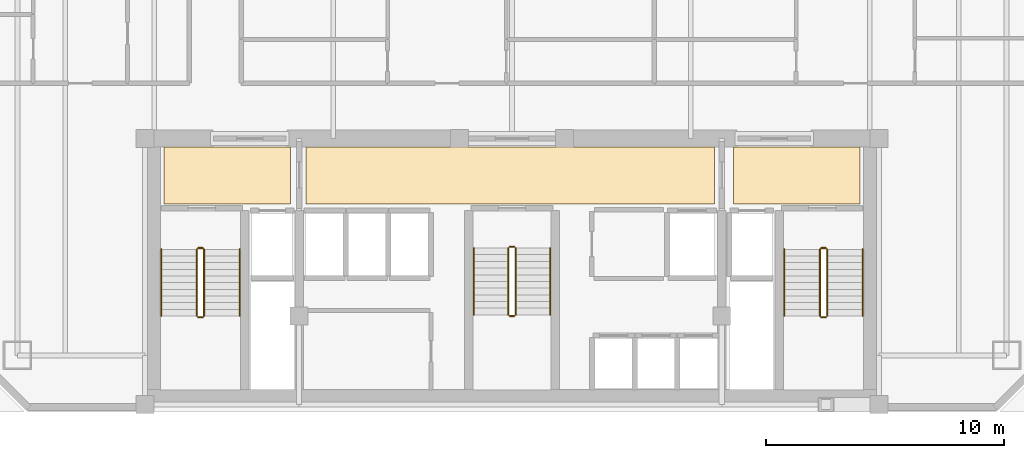
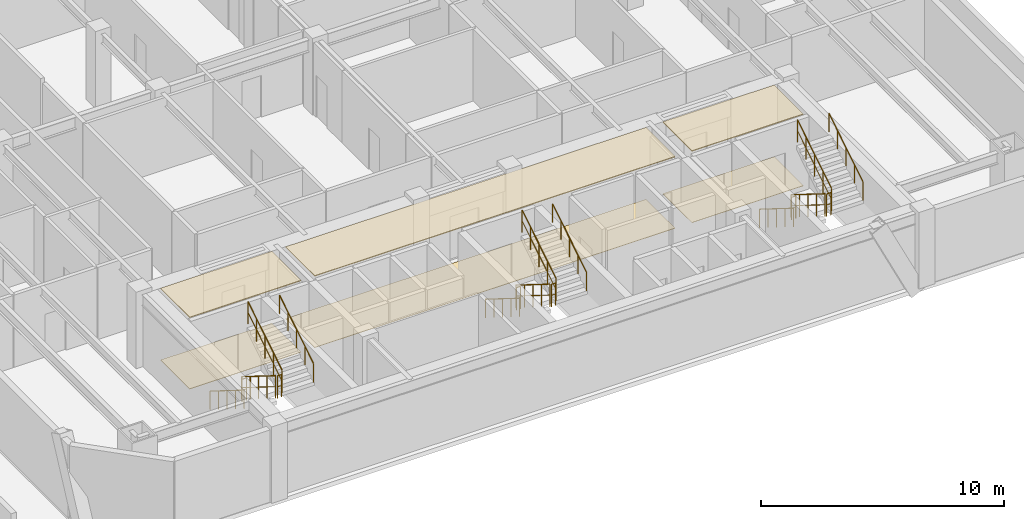
# One storey, part 8 of 8: 18 railings, 6 coverings.
"""IFC4 building model written with IfcOpenShell, lengths in metres."""

from ifc_helpers import new_model, si_unit, direction, frame, origin, origin_2d, place, context, subcontext, project, spatial, polyline, circle, outline, extrude, material, layer, layer_set, type_object, element, save


model = new_model("IFC4")

# Units and contexts
model_context = context("Model", 3, precision=1e-05, world=origin(), true_north=direction((0.0, 1.0)))
body_context = subcontext(model_context, "Body", "Model", "MODEL_VIEW")
ifc_project = project(units=[si_unit("LENGTHUNIT", "METRE"), si_unit("AREAUNIT", "SQUARE_METRE"), si_unit("VOLUMEUNIT", "CUBIC_METRE"), si_unit("PLANEANGLEUNIT", "RADIAN"), si_unit("MASSUNIT", "GRAM", prefix="KILO")], contexts=[model_context])

# Site, building, storey
site_placement = place(None, origin())
site = spatial("IfcSite", under=ifc_project, at=site_placement, CompositionType="ELEMENT")
building_placement = place(site_placement, origin())
building = spatial("IfcBuilding", under=site, at=building_placement, Name="Ventersveld Concourse Tower", CompositionType="ELEMENT")
storey_placement = place(building_placement, frame((0.0, 0.0, 156.75)))
storey = spatial("IfcBuildingStorey", under=building, at=storey_placement, Name="L38", CompositionType="ELEMENT", Elevation=156.75)

# Coverings
ifc_material_1 = material(Name="Mineral-fibre acoustic ceiling tile", Category="gypsum")
ifc_layer_1 = layer(ifc_material_1, 0.0400390625)
ifc_layer_set_1 = layer_set([ifc_layer_1], Name="Mineral-fibre acoustic ceiling tile")
covering_type_1 = type_object("IfcCoveringType", Name="COV-CEIL-ACOUSTIC", PredefinedType="CEILING", material=ifc_layer_set_1)
covering_1_placement = place(storey_placement, frame((0.0, 0.0, 3.590087890625)))
element("IfcCovering", 1, at=covering_1_placement, inside=storey, type_object=covering_type_1, Name="L38 North Lift Lobby Acoustic Ceiling", PredefinedType="CEILING", context=body_context, shape_type="SweptSolid", body=[
    extrude(outline(polyline([(20.10009765625, 8.699951171875), (37.25, 8.699951171875), (37.25, 11.10009765625), (20.10009765625, 11.10009765625), (20.10009765625, 8.699951171875)])), origin(), (0.0, 0.0, 1.0), 0.039794921875),
])
covering_2_placement = place(storey_placement, frame((0.0, 0.0, 3.590087890625)))
element("IfcCovering", 2, at=covering_2_placement, inside=storey, type_object=covering_type_1, Name="L38 West Firefighting Lobby Acoustic Ceiling", PredefinedType="CEILING", context=body_context, shape_type="SweptSolid", body=[
    extrude(outline(polyline([(14.14990234375, 8.699951171875), (19.449951171875, 8.699951171875), (19.449951171875, 11.10009765625), (14.14990234375, 11.10009765625), (14.14990234375, 8.699951171875)])), origin(), (0.0, 0.0, 1.0), 0.039794921875),
])
covering_3_placement = place(storey_placement, frame((0.0, 0.0, 3.590087890625)))
element("IfcCovering", 3, at=covering_3_placement, inside=storey, type_object=covering_type_1, Name="L38 East Firefighting Lobby Acoustic Ceiling", PredefinedType="CEILING", context=body_context, shape_type="SweptSolid", body=[
    extrude(outline(polyline([(38.050048828125, 8.699951171875), (43.35009765625, 8.699951171875), (43.35009765625, 11.10009765625), (38.050048828125, 11.10009765625), (38.050048828125, 8.699951171875)])), origin(), (0.0, 0.0, 1.0), 0.039794921875),
])
ifc_material_2 = material(Name="Polished Highveld granite terrazzo", Category="masonry")
ifc_layer_2 = layer(ifc_material_2, 0.02001953125)
ifc_layer_set_2 = layer_set([ifc_layer_2], Name="Polished Highveld granite terrazzo")
covering_type_2 = type_object("IfcCoveringType", Name="COV-FLOOR-TERRAZZO", PredefinedType="FLOORING", material=ifc_layer_set_2)
covering_4_placement = place(storey_placement, origin())
element("IfcCovering", 4, at=covering_4_placement, inside=storey, type_object=covering_type_2, Name="L38 North Lift Lobby Terrazzo Flooring", PredefinedType="FLOORING", context=body_context, shape_type="SweptSolid", body=[
    extrude(outline(polyline([(20.10009765625, 8.699951171875), (37.25, 8.699951171875), (37.25, 11.10009765625), (20.10009765625, 11.10009765625), (20.10009765625, 8.699951171875)])), origin(), (0.0, 0.0, 1.0), 0.02001953125),
])
covering_5_placement = place(storey_placement, origin())
element("IfcCovering", 5, at=covering_5_placement, inside=storey, type_object=covering_type_2, Name="L38 West Firefighting Lobby Terrazzo Flooring", PredefinedType="FLOORING", context=body_context, shape_type="SweptSolid", body=[
    extrude(outline(polyline([(14.14990234375, 8.699951171875), (19.449951171875, 8.699951171875), (19.449951171875, 11.10009765625), (14.14990234375, 11.10009765625), (14.14990234375, 8.699951171875)])), origin(), (0.0, 0.0, 1.0), 0.02001953125),
])
covering_6_placement = place(storey_placement, origin())
element("IfcCovering", 6, at=covering_6_placement, inside=storey, type_object=covering_type_2, Name="L38 East Firefighting Lobby Terrazzo Flooring", PredefinedType="FLOORING", context=body_context, shape_type="SweptSolid", body=[
    extrude(outline(polyline([(38.050048828125, 8.699951171875), (43.35009765625, 8.699951171875), (43.35009765625, 11.10009765625), (38.050048828125, 11.10009765625), (38.050048828125, 8.699951171875)])), origin(), (0.0, 0.0, 1.0), 0.02001953125),
])

# Railings
ifc_material_3 = material(Name="Brushed stainless steel 316", Category="steel")
railing_type_1 = type_object("IfcRailingType", Name="GD-BAL-115", PredefinedType="GUARDRAIL", material=ifc_material_3)
railing_1_placement = place(storey_placement, frame((15.530029296875, 6.800048828125, 0.175048828125)))
element("IfcRailing", 7, at=railing_1_placement, inside=storey, type_object=railing_type_1, Name="L38 ST-01 stair guard 1", PredefinedType="GUARDRAIL", context=body_context, shape_type="SweptSolid", body=[
    extrude(circle(Radius=0.02392578125, at=origin_2d()), frame((0.0, 0.0, 1.1259765625), z_axis=(0.0, -0.848002457836, 0.529992293815), x_axis=(1.0, 0.0, 0.0)), (0.0, 0.0, 1.0), 3.302001953125),
    extrude(circle(Radius=0.01611328125, at=origin_2d()), frame((0.0, 0.0, 0.574951171875), z_axis=(0.0, -0.848002457836, 0.529992293815), x_axis=(1.0, 0.0, 0.0)), (0.0, 0.0, 1.0), 3.302001953125),
    extrude(circle(Radius=0.02099609375, at=origin_2d()), origin(), (0.0, 0.0, 1.0), 1.101806640625),
    extrude(circle(Radius=0.02099609375, at=origin_2d()), frame((0.0, -0.699951171875, 0.4375)), (0.0, 0.0, 1.0), 1.101806640625),
    extrude(circle(Radius=0.02099609375, at=origin_2d()), frame((0.0, -1.39990234375, 0.875)), (0.0, 0.0, 1.0), 1.101806640625),
    extrude(circle(Radius=0.02099609375, at=origin_2d()), frame((0.0, -2.10009765625, 1.3125)), (0.0, 0.0, 1.0), 1.101806640625),
    extrude(circle(Radius=0.02099609375, at=origin_2d()), frame((0.0, -2.800048828125, 1.75)), (0.0, 0.0, 1.0), 1.101806640625),
])
railing_2_placement = place(storey_placement, frame((15.580078125, 3.949951171875, 1.925048828125)))
element("IfcRailing", 8, at=railing_2_placement, inside=storey, type_object=railing_type_1, Name="L38 ST-01 stair guard 2", PredefinedType="GUARDRAIL", context=body_context, shape_type="SweptSolid", body=[
    extrude(circle(Radius=0.02392578125, at=origin_2d()), frame((0.0, 0.0, 1.1259765625), z_axis=(1.0, 0.0, 0.0), x_axis=(0.0, 1.0, 0.0)), (0.0, 0.0, 1.0), 0.199951171875),
    extrude(circle(Radius=0.01611328125, at=origin_2d()), frame((0.0, 0.0, 0.574951171875), z_axis=(1.0, 0.0, 0.0), x_axis=(0.0, 1.0, 0.0)), (0.0, 0.0, 1.0), 0.199951171875),
    extrude(circle(Radius=0.02099609375, at=origin_2d()), origin(), (0.0, 0.0, 1.0), 1.101806640625),
    extrude(circle(Radius=0.02099609375, at=origin_2d()), frame((0.199951171875, 0.0, 0.0)), (0.0, 0.0, 1.0), 1.101806640625),
])
railing_3_placement = place(storey_placement, frame((15.830078125, 4.0, 2.10009765625)))
element("IfcRailing", 9, at=railing_3_placement, inside=storey, type_object=railing_type_1, Name="L38 ST-01 stair guard 3", PredefinedType="GUARDRAIL", context=body_context, shape_type="SweptSolid", body=[
    extrude(circle(Radius=0.02392578125, at=origin_2d()), frame((0.0, 0.0, 1.1259765625), z_axis=(0.0, 0.848002457836, 0.529992293815), x_axis=(-1.0, 0.0, 0.0)), (0.0, 0.0, 1.0), 3.302001953125),
    extrude(circle(Radius=0.01611328125, at=origin_2d()), frame((0.0, 0.0, 0.574951171875), z_axis=(0.0, 0.848002457836, 0.529992293815), x_axis=(-1.0, 0.0, 0.0)), (0.0, 0.0, 1.0), 3.302001953125),
    extrude(circle(Radius=0.02099609375, at=origin_2d()), origin(), (0.0, 0.0, 1.0), 1.101806640625),
    extrude(circle(Radius=0.02099609375, at=origin_2d()), frame((0.0, 0.699951171875, 0.4375)), (0.0, 0.0, 1.0), 1.101806640625),
    extrude(circle(Radius=0.02099609375, at=origin_2d()), frame((0.0, 1.39990234375, 0.875)), (0.0, 0.0, 1.0), 1.101806640625),
    extrude(circle(Radius=0.02099609375, at=origin_2d()), frame((0.0, 2.10009765625, 1.3125)), (0.0, 0.0, 1.0), 1.101806640625),
    extrude(circle(Radius=0.02099609375, at=origin_2d()), frame((0.0, 2.800048828125, 1.75)), (0.0, 0.0, 1.0), 1.101806640625),
])
railing_4_placement = place(storey_placement, frame((15.580078125, 6.85009765625, 0.0)))
element("IfcRailing", 10, at=railing_4_placement, inside=storey, type_object=railing_type_1, Name="L38 ST-01 stair guard 4", PredefinedType="GUARDRAIL", context=body_context, shape_type="SweptSolid", body=[
    extrude(circle(Radius=0.02392578125, at=origin_2d()), frame((0.0, 0.0, 1.1259765625), z_axis=(1.0, 0.0, 0.0), x_axis=(0.0, 1.0, 0.0)), (0.0, 0.0, 1.0), 0.199951171875),
    extrude(circle(Radius=0.01611328125, at=origin_2d()), frame((0.0, 0.0, 0.574951171875), z_axis=(1.0, 0.0, 0.0), x_axis=(0.0, 1.0, 0.0)), (0.0, 0.0, 1.0), 0.199951171875),
    extrude(circle(Radius=0.02099609375, at=origin_2d()), origin(), (0.0, 0.0, 1.0), 1.101806640625),
    extrude(circle(Radius=0.02099609375, at=origin_2d()), frame((0.199951171875, 0.0, 0.0)), (0.0, 0.0, 1.0), 1.101806640625),
])
railing_5_placement = place(storey_placement, frame((41.669921875, 6.800048828125, 0.175048828125)))
element("IfcRailing", 11, at=railing_5_placement, inside=storey, type_object=railing_type_1, Name="L38 ST-02 stair guard 1", PredefinedType="GUARDRAIL", context=body_context, shape_type="SweptSolid", body=[
    extrude(circle(Radius=0.02392578125, at=origin_2d()), frame((0.0, 0.0, 1.1259765625), z_axis=(0.0, -0.848002457836, 0.529992293815), x_axis=(1.0, 0.0, 0.0)), (0.0, 0.0, 1.0), 3.302001953125),
    extrude(circle(Radius=0.01611328125, at=origin_2d()), frame((0.0, 0.0, 0.574951171875), z_axis=(0.0, -0.848002457836, 0.529992293815), x_axis=(1.0, 0.0, 0.0)), (0.0, 0.0, 1.0), 3.302001953125),
    extrude(circle(Radius=0.02099609375, at=origin_2d()), origin(), (0.0, 0.0, 1.0), 1.101806640625),
    extrude(circle(Radius=0.02099609375, at=origin_2d()), frame((0.0, -0.699951171875, 0.4375)), (0.0, 0.0, 1.0), 1.101806640625),
    extrude(circle(Radius=0.02099609375, at=origin_2d()), frame((0.0, -1.39990234375, 0.875)), (0.0, 0.0, 1.0), 1.101806640625),
    extrude(circle(Radius=0.02099609375, at=origin_2d()), frame((0.0, -2.10009765625, 1.3125)), (0.0, 0.0, 1.0), 1.101806640625),
    extrude(circle(Radius=0.02099609375, at=origin_2d()), frame((0.0, -2.800048828125, 1.75)), (0.0, 0.0, 1.0), 1.101806640625),
])
railing_6_placement = place(storey_placement, frame((41.719970703125, 3.949951171875, 1.925048828125)))
element("IfcRailing", 12, at=railing_6_placement, inside=storey, type_object=railing_type_1, Name="L38 ST-02 stair guard 2", PredefinedType="GUARDRAIL", context=body_context, shape_type="SweptSolid", body=[
    extrude(circle(Radius=0.02392578125, at=origin_2d()), frame((0.0, 0.0, 1.1259765625), z_axis=(1.0, 0.0, 0.0), x_axis=(0.0, 1.0, 0.0)), (0.0, 0.0, 1.0), 0.199951171875),
    extrude(circle(Radius=0.01611328125, at=origin_2d()), frame((0.0, 0.0, 0.574951171875), z_axis=(1.0, 0.0, 0.0), x_axis=(0.0, 1.0, 0.0)), (0.0, 0.0, 1.0), 0.199951171875),
    extrude(circle(Radius=0.02099609375, at=origin_2d()), origin(), (0.0, 0.0, 1.0), 1.101806640625),
    extrude(circle(Radius=0.02099609375, at=origin_2d()), frame((0.199951171875, 0.0, 0.0)), (0.0, 0.0, 1.0), 1.101806640625),
])
railing_7_placement = place(storey_placement, frame((41.969970703125, 4.0, 2.10009765625)))
element("IfcRailing", 13, at=railing_7_placement, inside=storey, type_object=railing_type_1, Name="L38 ST-02 stair guard 3", PredefinedType="GUARDRAIL", context=body_context, shape_type="SweptSolid", body=[
    extrude(circle(Radius=0.02392578125, at=origin_2d()), frame((0.0, 0.0, 1.1259765625), z_axis=(0.0, 0.848002457836, 0.529992293815), x_axis=(-1.0, 0.0, 0.0)), (0.0, 0.0, 1.0), 3.302001953125),
    extrude(circle(Radius=0.01611328125, at=origin_2d()), frame((0.0, 0.0, 0.574951171875), z_axis=(0.0, 0.848002457836, 0.529992293815), x_axis=(-1.0, 0.0, 0.0)), (0.0, 0.0, 1.0), 3.302001953125),
    extrude(circle(Radius=0.02099609375, at=origin_2d()), origin(), (0.0, 0.0, 1.0), 1.101806640625),
    extrude(circle(Radius=0.02099609375, at=origin_2d()), frame((0.0, 0.699951171875, 0.4375)), (0.0, 0.0, 1.0), 1.101806640625),
    extrude(circle(Radius=0.02099609375, at=origin_2d()), frame((0.0, 1.39990234375, 0.875)), (0.0, 0.0, 1.0), 1.101806640625),
    extrude(circle(Radius=0.02099609375, at=origin_2d()), frame((0.0, 2.10009765625, 1.3125)), (0.0, 0.0, 1.0), 1.101806640625),
    extrude(circle(Radius=0.02099609375, at=origin_2d()), frame((0.0, 2.800048828125, 1.75)), (0.0, 0.0, 1.0), 1.101806640625),
])
railing_8_placement = place(storey_placement, frame((41.719970703125, 6.85009765625, 0.0)))
element("IfcRailing", 14, at=railing_8_placement, inside=storey, type_object=railing_type_1, Name="L38 ST-02 stair guard 4", PredefinedType="GUARDRAIL", context=body_context, shape_type="SweptSolid", body=[
    extrude(circle(Radius=0.02392578125, at=origin_2d()), frame((0.0, 0.0, 1.1259765625), z_axis=(1.0, 0.0, 0.0), x_axis=(0.0, 1.0, 0.0)), (0.0, 0.0, 1.0), 0.199951171875),
    extrude(circle(Radius=0.01611328125, at=origin_2d()), frame((0.0, 0.0, 0.574951171875), z_axis=(1.0, 0.0, 0.0), x_axis=(0.0, 1.0, 0.0)), (0.0, 0.0, 1.0), 0.199951171875),
    extrude(circle(Radius=0.02099609375, at=origin_2d()), origin(), (0.0, 0.0, 1.0), 1.101806640625),
    extrude(circle(Radius=0.02099609375, at=origin_2d()), frame((0.199951171875, 0.0, 0.0)), (0.0, 0.0, 1.0), 1.101806640625),
])
railing_9_placement = place(storey_placement, frame((28.60009765625, 6.85009765625, 0.175048828125)))
element("IfcRailing", 15, at=railing_9_placement, inside=storey, type_object=railing_type_1, Name="L38 ST-03 stair guard 1", PredefinedType="GUARDRAIL", context=body_context, shape_type="SweptSolid", body=[
    extrude(circle(Radius=0.02392578125, at=origin_2d()), frame((0.0, 0.0, 1.1259765625), z_axis=(0.0, -0.848002457836, 0.529992293815), x_axis=(1.0, 0.0, 0.0)), (0.0, 0.0, 1.0), 3.302001953125),
    extrude(circle(Radius=0.01611328125, at=origin_2d()), frame((0.0, 0.0, 0.574951171875), z_axis=(0.0, -0.848002457836, 0.529992293815), x_axis=(1.0, 0.0, 0.0)), (0.0, 0.0, 1.0), 3.302001953125),
    extrude(circle(Radius=0.02099609375, at=origin_2d()), origin(), (0.0, 0.0, 1.0), 1.101806640625),
    extrude(circle(Radius=0.02099609375, at=origin_2d()), frame((0.0, -0.699951171875, 0.4375)), (0.0, 0.0, 1.0), 1.101806640625),
    extrude(circle(Radius=0.02099609375, at=origin_2d()), frame((0.0, -1.39990234375, 0.875)), (0.0, 0.0, 1.0), 1.101806640625),
    extrude(circle(Radius=0.02099609375, at=origin_2d()), frame((0.0, -2.10009765625, 1.3125)), (0.0, 0.0, 1.0), 1.101806640625),
    extrude(circle(Radius=0.02099609375, at=origin_2d()), frame((0.0, -2.800048828125, 1.75)), (0.0, 0.0, 1.0), 1.101806640625),
])
railing_10_placement = place(storey_placement, frame((28.64990234375, 4.0, 1.925048828125)))
element("IfcRailing", 16, at=railing_10_placement, inside=storey, type_object=railing_type_1, Name="L38 ST-03 stair guard 2", PredefinedType="GUARDRAIL", context=body_context, shape_type="SweptSolid", body=[
    extrude(circle(Radius=0.02392578125, at=origin_2d()), frame((0.0, 0.0, 1.1259765625), z_axis=(1.0, 0.0, 0.0), x_axis=(0.0, 1.0, 0.0)), (0.0, 0.0, 1.0), 0.2001953125),
    extrude(circle(Radius=0.01611328125, at=origin_2d()), frame((0.0, 0.0, 0.574951171875), z_axis=(1.0, 0.0, 0.0), x_axis=(0.0, 1.0, 0.0)), (0.0, 0.0, 1.0), 0.2001953125),
    extrude(circle(Radius=0.02099609375, at=origin_2d()), origin(), (0.0, 0.0, 1.0), 1.101806640625),
    extrude(circle(Radius=0.02099609375, at=origin_2d()), frame((0.2001953125, 0.0, 0.0)), (0.0, 0.0, 1.0), 1.101806640625),
])
railing_11_placement = place(storey_placement, frame((28.89990234375, 4.050048828125, 2.10009765625)))
element("IfcRailing", 17, at=railing_11_placement, inside=storey, type_object=railing_type_1, Name="L38 ST-03 stair guard 3", PredefinedType="GUARDRAIL", context=body_context, shape_type="SweptSolid", body=[
    extrude(circle(Radius=0.02392578125, at=origin_2d()), frame((0.0, 0.0, 1.1259765625), z_axis=(0.0, 0.848002457836, 0.529992293815), x_axis=(-1.0, 0.0, 0.0)), (0.0, 0.0, 1.0), 3.302001953125),
    extrude(circle(Radius=0.01611328125, at=origin_2d()), frame((0.0, 0.0, 0.574951171875), z_axis=(0.0, 0.848002457836, 0.529992293815), x_axis=(-1.0, 0.0, 0.0)), (0.0, 0.0, 1.0), 3.302001953125),
    extrude(circle(Radius=0.02099609375, at=origin_2d()), origin(), (0.0, 0.0, 1.0), 1.101806640625),
    extrude(circle(Radius=0.02099609375, at=origin_2d()), frame((0.0, 0.699951171875, 0.4375)), (0.0, 0.0, 1.0), 1.101806640625),
    extrude(circle(Radius=0.02099609375, at=origin_2d()), frame((0.0, 1.39990234375, 0.875)), (0.0, 0.0, 1.0), 1.101806640625),
    extrude(circle(Radius=0.02099609375, at=origin_2d()), frame((0.0, 2.10009765625, 1.3125)), (0.0, 0.0, 1.0), 1.101806640625),
    extrude(circle(Radius=0.02099609375, at=origin_2d()), frame((0.0, 2.800048828125, 1.75)), (0.0, 0.0, 1.0), 1.101806640625),
])
railing_12_placement = place(storey_placement, frame((28.64990234375, 6.89990234375, 0.0)))
element("IfcRailing", 18, at=railing_12_placement, inside=storey, type_object=railing_type_1, Name="L38 ST-03 stair guard 4", PredefinedType="GUARDRAIL", context=body_context, shape_type="SweptSolid", body=[
    extrude(circle(Radius=0.02392578125, at=origin_2d()), frame((0.0, 0.0, 1.1259765625), z_axis=(1.0, 0.0, 0.0), x_axis=(0.0, 1.0, 0.0)), (0.0, 0.0, 1.0), 0.2001953125),
    extrude(circle(Radius=0.01611328125, at=origin_2d()), frame((0.0, 0.0, 0.574951171875), z_axis=(1.0, 0.0, 0.0), x_axis=(0.0, 1.0, 0.0)), (0.0, 0.0, 1.0), 0.2001953125),
    extrude(circle(Radius=0.02099609375, at=origin_2d()), origin(), (0.0, 0.0, 1.0), 1.101806640625),
    extrude(circle(Radius=0.02099609375, at=origin_2d()), frame((0.2001953125, 0.0, 0.0)), (0.0, 0.0, 1.0), 1.101806640625),
])
railing_type_2 = type_object("IfcRailingType", Name="HR-RMP-095", PredefinedType="HANDRAIL", material=ifc_material_3)
railing_13_placement = place(storey_placement, frame((14.030029296875, 6.800048828125, 0.175048828125)))
element("IfcRailing", 19, at=railing_13_placement, inside=storey, type_object=railing_type_2, Name="L38 ST-01 stair handrail 1", PredefinedType="HANDRAIL", context=body_context, shape_type="SweptSolid", body=[
    extrude(circle(Radius=0.02392578125, at=origin_2d()), frame((0.0, 0.0, 0.92578125), z_axis=(0.0, -0.848002457836, 0.529992293815), x_axis=(1.0, 0.0, 0.0)), (0.0, 0.0, 1.0), 3.302001953125),
    extrude(circle(Radius=0.02099609375, at=origin_2d()), origin(), (0.0, 0.0, 1.0), 0.90185546875),
    extrude(circle(Radius=0.02099609375, at=origin_2d()), frame((0.0, -0.699951171875, 0.4375)), (0.0, 0.0, 1.0), 0.90185546875),
    extrude(circle(Radius=0.02099609375, at=origin_2d()), frame((0.0, -1.39990234375, 0.875)), (0.0, 0.0, 1.0), 0.90185546875),
    extrude(circle(Radius=0.02099609375, at=origin_2d()), frame((0.0, -2.10009765625, 1.3125)), (0.0, 0.0, 1.0), 0.90185546875),
    extrude(circle(Radius=0.02099609375, at=origin_2d()), frame((0.0, -2.800048828125, 1.75)), (0.0, 0.0, 1.0), 0.90185546875),
])
railing_14_placement = place(storey_placement, frame((17.330078125, 4.0, 2.10009765625)))
element("IfcRailing", 20, at=railing_14_placement, inside=storey, type_object=railing_type_2, Name="L38 ST-01 stair handrail 2", PredefinedType="HANDRAIL", context=body_context, shape_type="SweptSolid", body=[
    extrude(circle(Radius=0.02392578125, at=origin_2d()), frame((0.0, 0.0, 0.92578125), z_axis=(0.0, 0.848002457836, 0.529992293815), x_axis=(-1.0, 0.0, 0.0)), (0.0, 0.0, 1.0), 3.302001953125),
    extrude(circle(Radius=0.02099609375, at=origin_2d()), origin(), (0.0, 0.0, 1.0), 0.90185546875),
    extrude(circle(Radius=0.02099609375, at=origin_2d()), frame((0.0, 0.699951171875, 0.4375)), (0.0, 0.0, 1.0), 0.90185546875),
    extrude(circle(Radius=0.02099609375, at=origin_2d()), frame((0.0, 1.39990234375, 0.875)), (0.0, 0.0, 1.0), 0.90185546875),
    extrude(circle(Radius=0.02099609375, at=origin_2d()), frame((0.0, 2.10009765625, 1.3125)), (0.0, 0.0, 1.0), 0.90185546875),
    extrude(circle(Radius=0.02099609375, at=origin_2d()), frame((0.0, 2.800048828125, 1.75)), (0.0, 0.0, 1.0), 0.90185546875),
])
railing_15_placement = place(storey_placement, frame((40.169921875, 6.800048828125, 0.175048828125)))
element("IfcRailing", 21, at=railing_15_placement, inside=storey, type_object=railing_type_2, Name="L38 ST-02 stair handrail 1", PredefinedType="HANDRAIL", context=body_context, shape_type="SweptSolid", body=[
    extrude(circle(Radius=0.02392578125, at=origin_2d()), frame((0.0, 0.0, 0.92578125), z_axis=(0.0, -0.848002457836, 0.529992293815), x_axis=(1.0, 0.0, 0.0)), (0.0, 0.0, 1.0), 3.302001953125),
    extrude(circle(Radius=0.02099609375, at=origin_2d()), origin(), (0.0, 0.0, 1.0), 0.90185546875),
    extrude(circle(Radius=0.02099609375, at=origin_2d()), frame((0.0, -0.699951171875, 0.4375)), (0.0, 0.0, 1.0), 0.90185546875),
    extrude(circle(Radius=0.02099609375, at=origin_2d()), frame((0.0, -1.39990234375, 0.875)), (0.0, 0.0, 1.0), 0.90185546875),
    extrude(circle(Radius=0.02099609375, at=origin_2d()), frame((0.0, -2.10009765625, 1.3125)), (0.0, 0.0, 1.0), 0.90185546875),
    extrude(circle(Radius=0.02099609375, at=origin_2d()), frame((0.0, -2.800048828125, 1.75)), (0.0, 0.0, 1.0), 0.90185546875),
])
railing_16_placement = place(storey_placement, frame((43.469970703125, 4.0, 2.10009765625)))
element("IfcRailing", 22, at=railing_16_placement, inside=storey, type_object=railing_type_2, Name="L38 ST-02 stair handrail 2", PredefinedType="HANDRAIL", context=body_context, shape_type="SweptSolid", body=[
    extrude(circle(Radius=0.02392578125, at=origin_2d()), frame((0.0, 0.0, 0.92578125), z_axis=(0.0, 0.848002457836, 0.529992293815), x_axis=(-1.0, 0.0, 0.0)), (0.0, 0.0, 1.0), 3.302001953125),
    extrude(circle(Radius=0.02099609375, at=origin_2d()), origin(), (0.0, 0.0, 1.0), 0.90185546875),
    extrude(circle(Radius=0.02099609375, at=origin_2d()), frame((0.0, 0.699951171875, 0.4375)), (0.0, 0.0, 1.0), 0.90185546875),
    extrude(circle(Radius=0.02099609375, at=origin_2d()), frame((0.0, 1.39990234375, 0.875)), (0.0, 0.0, 1.0), 0.90185546875),
    extrude(circle(Radius=0.02099609375, at=origin_2d()), frame((0.0, 2.10009765625, 1.3125)), (0.0, 0.0, 1.0), 0.90185546875),
    extrude(circle(Radius=0.02099609375, at=origin_2d()), frame((0.0, 2.800048828125, 1.75)), (0.0, 0.0, 1.0), 0.90185546875),
])
railing_17_placement = place(storey_placement, frame((27.14990234375, 6.85009765625, 0.175048828125)))
element("IfcRailing", 23, at=railing_17_placement, inside=storey, type_object=railing_type_2, Name="L38 ST-03 stair handrail 1", PredefinedType="HANDRAIL", context=body_context, shape_type="SweptSolid", body=[
    extrude(circle(Radius=0.02392578125, at=origin_2d()), frame((0.0, 0.0, 0.92578125), z_axis=(0.0, -0.848002457836, 0.529992293815), x_axis=(1.0, 0.0, 0.0)), (0.0, 0.0, 1.0), 3.302001953125),
    extrude(circle(Radius=0.02099609375, at=origin_2d()), origin(), (0.0, 0.0, 1.0), 0.90185546875),
    extrude(circle(Radius=0.02099609375, at=origin_2d()), frame((0.0, -0.699951171875, 0.4375)), (0.0, 0.0, 1.0), 0.90185546875),
    extrude(circle(Radius=0.02099609375, at=origin_2d()), frame((0.0, -1.39990234375, 0.875)), (0.0, 0.0, 1.0), 0.90185546875),
    extrude(circle(Radius=0.02099609375, at=origin_2d()), frame((0.0, -2.10009765625, 1.3125)), (0.0, 0.0, 1.0), 0.90185546875),
    extrude(circle(Radius=0.02099609375, at=origin_2d()), frame((0.0, -2.800048828125, 1.75)), (0.0, 0.0, 1.0), 0.90185546875),
])
railing_18_placement = place(storey_placement, frame((30.35009765625, 4.050048828125, 2.10009765625)))
element("IfcRailing", 24, at=railing_18_placement, inside=storey, type_object=railing_type_2, Name="L38 ST-03 stair handrail 2", PredefinedType="HANDRAIL", context=body_context, shape_type="SweptSolid", body=[
    extrude(circle(Radius=0.02392578125, at=origin_2d()), frame((0.0, 0.0, 0.92578125), z_axis=(0.0, 0.848002457836, 0.529992293815), x_axis=(-1.0, 0.0, 0.0)), (0.0, 0.0, 1.0), 3.302001953125),
    extrude(circle(Radius=0.02099609375, at=origin_2d()), origin(), (0.0, 0.0, 1.0), 0.90185546875),
    extrude(circle(Radius=0.02099609375, at=origin_2d()), frame((0.0, 0.699951171875, 0.4375)), (0.0, 0.0, 1.0), 0.90185546875),
    extrude(circle(Radius=0.02099609375, at=origin_2d()), frame((0.0, 1.39990234375, 0.875)), (0.0, 0.0, 1.0), 0.90185546875),
    extrude(circle(Radius=0.02099609375, at=origin_2d()), frame((0.0, 2.10009765625, 1.3125)), (0.0, 0.0, 1.0), 0.90185546875),
    extrude(circle(Radius=0.02099609375, at=origin_2d()), frame((0.0, 2.800048828125, 1.75)), (0.0, 0.0, 1.0), 0.90185546875),
])

save(model, "model.ifc")
